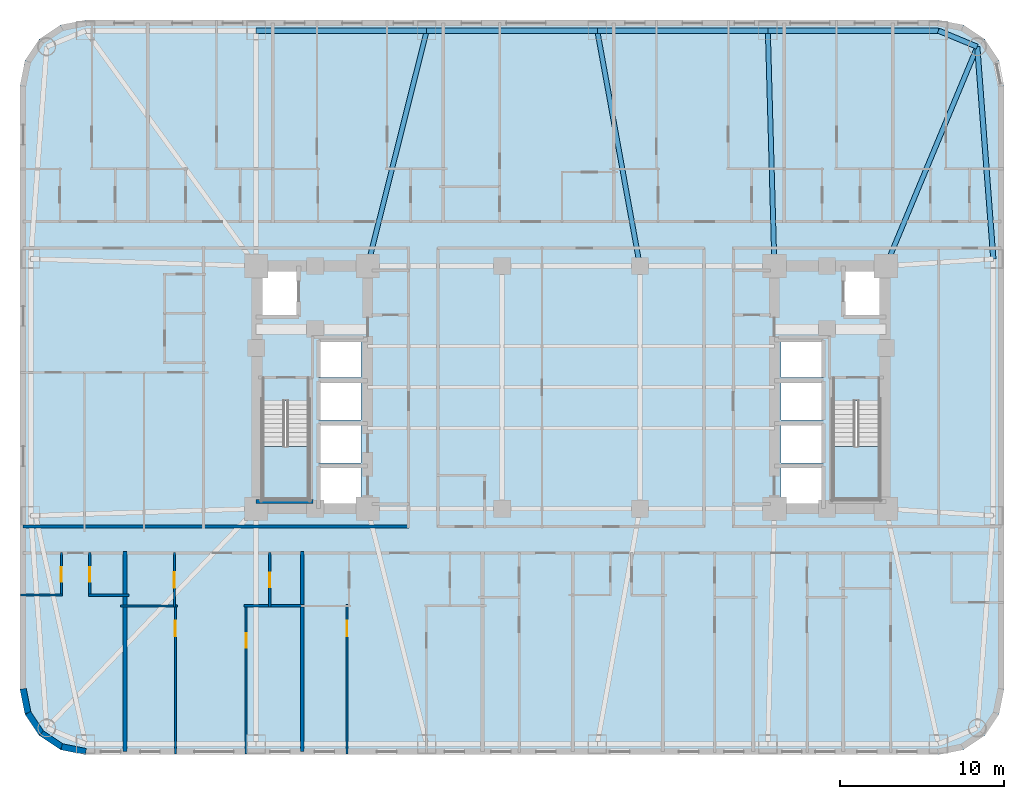
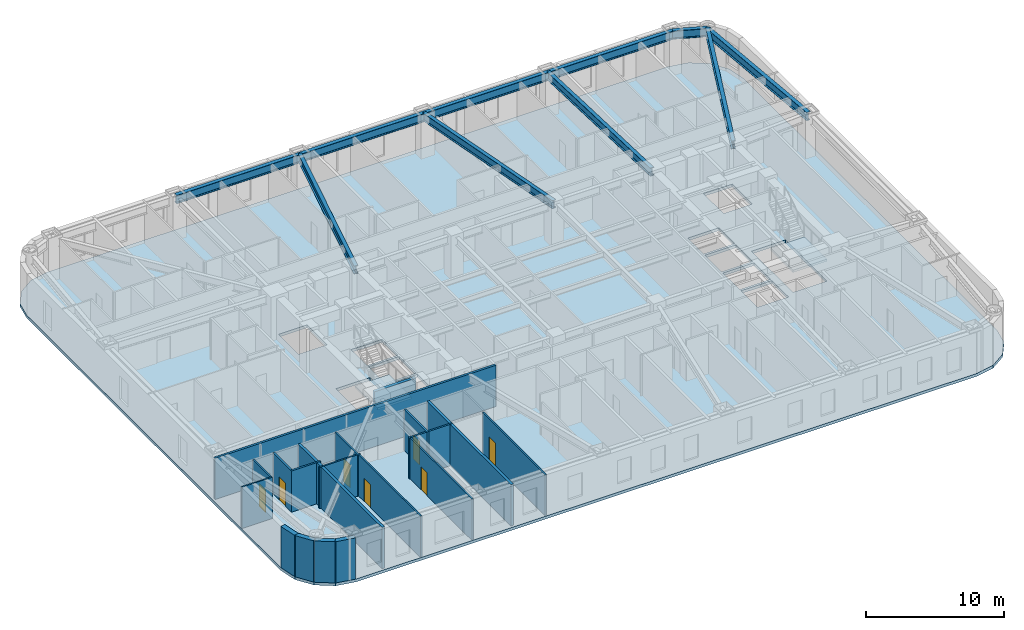
# One storey, part 2 of 11: 19 walls, 10 beams, 7 doors, 3 slabs, 7 openings, 2 elements without a shape of their own.
"""IFC4 building model written with IfcOpenShell, lengths in metres."""

from ifc_helpers import new_model, si_unit, direction, frame, frame_2d, origin, origin_2d, place, context, subcontext, project, spatial, polyline, rectangle, i_section, outline, extrude, material, layer, layer_set, material_profile, profile_set, type_object, element, fill, aggregate, save


model = new_model("IFC4")

# Units and contexts
model_context = context("Model", 3, precision=1e-05, world=origin(), true_north=direction((0.0, 1.0)))
body_context = subcontext(model_context, "Body", "Model", "MODEL_VIEW")
ifc_project = project(units=[si_unit("LENGTHUNIT", "METRE"), si_unit("AREAUNIT", "SQUARE_METRE"), si_unit("VOLUMEUNIT", "CUBIC_METRE"), si_unit("PLANEANGLEUNIT", "RADIAN"), si_unit("MASSUNIT", "GRAM", prefix="KILO")], contexts=[model_context])

# Site, building, storey
site_placement = place(None, origin())
site = spatial("IfcSite", under=ifc_project, at=site_placement, CompositionType="ELEMENT")
building_placement = place(site_placement, origin())
building = spatial("IfcBuilding", under=site, at=building_placement, Name="Voryun Gate Residences", CompositionType="ELEMENT")
storey_placement = place(building_placement, frame((0.0, 0.0, 45.5)))
storey = spatial("IfcBuildingStorey", under=building, at=storey_placement, Name="L10", CompositionType="ELEMENT", Elevation=45.5)

# Beams
ifc_material_1 = material(Name="Steel SM355", Category="steel")
ifc_material_profile_1 = material_profile(ifc_material_1, i_section(OverallWidth=0.320068359375, OverallDepth=0.75, WebThickness=0.01611328125, FlangeThickness=0.028076171875, FilletRadius=0.01806640625, at=origin_2d()), Name="H-750x320x16x28")
ifc_profile_set_1 = profile_set([ifc_material_profile_1], Name="Steel SM355")
beam_type_1 = type_object("IfcBeamType", Name="BM_EXO_SPANDREL_L", PredefinedType="SPANDREL", material=ifc_profile_set_1)
beam_1_placement = place(storey_placement, frame((25.75, 7.830078125, 3.27490234375), z_axis=(-0.075617360159, 0.997136908776, 0.0), x_axis=(-0.997136908776, -0.075617360159, 0.0)))
element("IfcBeam", 1, at=beam_1_placement, inside=storey, type_object=beam_type_1, Name="BM-L10-SPAND-09", PredefinedType="SPANDREL", context=body_context, shape_type="SweptSolid", body=[
    extrude(i_section(OverallWidth=0.320068359375, OverallDepth=0.75, WebThickness=0.01611328125, FlangeThickness=0.028076171875, FilletRadius=0.01806640625, at=origin_2d()), origin(), (0.0, 0.0, 1.0), 12.975830078125),
])
beam_2_placement = place(storey_placement, frame((24.768798828125, 20.768798828125, 3.27490234375), z_axis=(-0.923883376753, 0.382674151414, 0.0), x_axis=(-0.382674151414, -0.923883376753, 0.0)))
element("IfcBeam", 2, at=beam_2_placement, inside=storey, type_object=beam_type_1, Name="BM-L10-SPAND-10", PredefinedType="SPANDREL", context=body_context, shape_type="SweptSolid", body=[
    extrude(i_section(OverallWidth=0.320068359375, OverallDepth=0.75, WebThickness=0.01611328125, FlangeThickness=0.028076171875, FilletRadius=0.01806640625, at=origin_2d()), origin(), (0.0, 0.0, 1.0), 2.56396484375),
])
for number, where, z_axis, x_axis, name in (
    (3, (22.39990234375, 21.75, 3.27490234375), (-1.0, 0.0, 0.0), (0.0, -1.0, 0.0), "BM-L10-SPAND-11"),
    (4, (12.0, 21.75, 3.27490234375), (-1.0, 0.0, 0.0), (0.0, -1.0, 0.0), "BM-L10-SPAND-12"),
):
    element("IfcBeam", number, at=place(storey_placement, frame(where, z_axis=z_axis, x_axis=x_axis)), inside=storey, type_object=beam_type_1, Name=name, PredefinedType="SPANDREL", context=body_context, shape_type="SweptSolid", body=[
        extrude(i_section(OverallWidth=0.320068359375, OverallDepth=0.75, WebThickness=0.01611328125, FlangeThickness=0.028076171875, FilletRadius=0.01806640625, at=origin_2d()), origin(), (0.0, 0.0, 1.0), 10.39990234375),
    ])
beam_3_placement = place(storey_placement, frame((1.60009765625, 21.75, 3.27490234375), z_axis=(-1.0, 0.0, 0.0), x_axis=(0.0, -1.0, 0.0)))
element("IfcBeam", 5, at=beam_3_placement, inside=storey, type_object=beam_type_1, Name="BM-L10-SPAND-13", PredefinedType="SPANDREL", context=body_context, shape_type="SweptSolid", body=[
    extrude(i_section(OverallWidth=0.320068359375, OverallDepth=0.75, WebThickness=0.01611328125, FlangeThickness=0.028076171875, FilletRadius=0.01806640625, at=origin_2d()), origin(), (0.0, 0.0, 1.0), 10.400146484375),
])
beam_4_placement = place(storey_placement, frame((-8.800048828125, 21.75, 3.27490234375), z_axis=(-1.0, 0.0, 0.0), x_axis=(0.0, -1.0, 0.0)))
element("IfcBeam", 6, at=beam_4_placement, inside=storey, type_object=beam_type_1, Name="BM-L10-SPAND-14", PredefinedType="SPANDREL", context=body_context, shape_type="SweptSolid", body=[
    extrude(i_section(OverallWidth=0.320068359375, OverallDepth=0.75, WebThickness=0.01611328125, FlangeThickness=0.028076171875, FilletRadius=0.01806640625, at=origin_2d()), origin(), (0.0, 0.0, 1.0), 10.39990234375),
])
ifc_material_2 = material(Name="Steel SM355", Category="steel")
ifc_material_profile_2 = material_profile(ifc_material_2, i_section(OverallWidth=0.300048828125, OverallDepth=0.699951171875, WebThickness=0.012939453125, FlangeThickness=0.02392578125, FilletRadius=0.01806640625, at=origin_2d()), Name="H-700x300x13x24")
ifc_profile_set_2 = profile_set([ifc_material_profile_2], Name="Steel SM355")
beam_type_2 = type_object("IfcBeamType", Name="BM_GIRD_700", PredefinedType="USERDEFINED", material=ifc_profile_set_2)
beam_5_placement = place(storey_placement, frame((19.199951171875, 7.39990234375, 3.300048828125), z_axis=(0.384525607719, 0.923114324993, 0.0), x_axis=(-0.923114324993, 0.384525607719, 0.0)))
element("IfcBeam", 7, at=beam_5_placement, inside=storey, type_object=beam_type_2, Name="BM-L10-RAD-CNE", ObjectType="GIRDER", PredefinedType="USERDEFINED", context=body_context, shape_type="SweptSolid", body=[
    extrude(i_section(OverallWidth=0.300048828125, OverallDepth=0.699951171875, WebThickness=0.012939453125, FlangeThickness=0.02392578125, FilletRadius=0.01806640625, at=origin_2d()), origin(), (0.0, 0.0, 1.0), 14.482421875),
])
beam_6_placement = place(storey_placement, frame((12.39990234375, 7.39990234375, 3.300048828125), z_axis=(-0.0278567548, 0.999611925305, 0.0), x_axis=(-0.999611925305, -0.0278567548, 0.0)))
element("IfcBeam", 8, at=beam_6_placement, inside=storey, type_object=beam_type_2, Name="BM-L10-RAD-N2", ObjectType="GIRDER", PredefinedType="USERDEFINED", context=body_context, shape_type="SweptSolid", body=[
    extrude(i_section(OverallWidth=0.300048828125, OverallDepth=0.699951171875, WebThickness=0.012939453125, FlangeThickness=0.02392578125, FilletRadius=0.01806640625, at=origin_2d()), origin(), (0.0, 0.0, 1.0), 14.355712890625),
])
beam_7_placement = place(storey_placement, frame((4.199951171875, 7.39990234375, 3.300048828125), z_axis=(-0.178271088758, 0.983981411874, 0.0), x_axis=(-0.983981411874, -0.178271088758, 0.0)))
element("IfcBeam", 9, at=beam_7_placement, inside=storey, type_object=beam_type_2, Name="BM-L10-RAD-N3", ObjectType="GIRDER", PredefinedType="USERDEFINED", context=body_context, shape_type="SweptSolid", body=[
    extrude(i_section(OverallWidth=0.300048828125, OverallDepth=0.699951171875, WebThickness=0.012939453125, FlangeThickness=0.02392578125, FilletRadius=0.01806640625, at=origin_2d()), origin(), (0.0, 0.0, 1.0), 14.583740234375),
])
beam_8_placement = place(storey_placement, frame((-12.39990234375, 7.39990234375, 3.300048828125), z_axis=(0.243319869291, 0.969946102218, 0.0), x_axis=(-0.969946102218, 0.243319869291, 0.0)))
element("IfcBeam", 10, at=beam_8_placement, inside=storey, type_object=beam_type_2, Name="BM-L10-RAD-N4", ObjectType="GIRDER", PredefinedType="USERDEFINED", context=body_context, shape_type="SweptSolid", body=[
    extrude(i_section(OverallWidth=0.300048828125, OverallDepth=0.699951171875, WebThickness=0.012939453125, FlangeThickness=0.02392578125, FilletRadius=0.01806640625, at=origin_2d()), origin(), (0.0, 0.0, 1.0), 14.794677734375),
])

# Slab
ifc_material_3 = material(Name="Concrete C40/50", Category="concrete")
ifc_layer_1 = layer(ifc_material_3, 0.25, Name="SLB_RES_250")
ifc_layer_set_1 = layer_set([ifc_layer_1], Name="Concrete C40/50")
slab_type_1 = type_object("IfcSlabType", Name="SLB_RES_250", PredefinedType="FLOOR", material=ifc_layer_set_1)
slab_1_placement = place(storey_placement, frame((0.0, 0.0, -0.25)))
element("IfcSlab", 11, at=slab_1_placement, inside=storey, type_object=slab_type_1, Name="L10 Structural Floor Slab", PredefinedType="FLOOR", context=body_context, shape_type="SweptSolid", body=[
    extrude(outline(polyline([(-29.60009765625, -22.39990234375), (-31.130615234375, -22.095458984375), (-32.428466796875, -21.228515625), (-33.29541015625, -19.9306640625), (-33.60009765625, -18.39990234375), (-33.60009765625, 18.39990234375), (-33.29541015625, 19.9306640625), (-32.428466796875, 21.228515625), (-31.130615234375, 22.095458984375), (-29.60009765625, 22.39990234375), (22.39990234375, 22.39990234375), (23.9306640625, 22.095458984375), (25.228515625, 21.228515625), (26.095458984375, 19.9306640625), (26.39990234375, 18.39990234375), (26.39990234375, -18.39990234375), (26.095458984375, -19.9306640625), (25.228515625, -21.228515625), (23.9306640625, -22.095458984375), (22.39990234375, -22.39990234375), (-29.60009765625, -22.39990234375)]), holes=[polyline([(-12.800048828125, -4.800048828125), (-15.39990234375, -4.800048828125), (-15.39990234375, -7.199951171875), (-12.800048828125, -7.199951171875), (-12.800048828125, -4.800048828125)]), polyline([(-18.824951171875, -6.85009765625), (-15.97509765625, -6.85009765625), (-15.97509765625, -0.840087890625), (-18.824951171875, -0.840087890625), (-18.824951171875, -6.85009765625)]), polyline([(-12.800048828125, -4.60009765625), (-12.800048828125, -2.199951171875), (-15.39990234375, -2.199951171875), (-15.39990234375, -4.60009765625), (-12.800048828125, -4.60009765625)]), polyline([(-12.800048828125, 0.39990234375), (-15.39990234375, 0.39990234375), (-15.39990234375, -2.0), (-12.800048828125, -2.0), (-12.800048828125, 0.39990234375)]), polyline([(-12.800048828125, 0.60009765625), (-12.800048828125, 2.89990234375), (-15.39990234375, 2.89990234375), (-15.39990234375, 0.60009765625), (-12.800048828125, 0.60009765625)]), polyline([(-16.60009765625, 4.300048828125), (-16.60009765625, 7.199951171875), (-19.0, 7.199951171875), (-19.0, 4.300048828125), (-16.60009765625, 4.300048828125)]), polyline([(15.39990234375, -4.800048828125), (12.800048828125, -4.800048828125), (12.800048828125, -7.199951171875), (15.39990234375, -7.199951171875), (15.39990234375, -4.800048828125)]), polyline([(15.97509765625, -6.85009765625), (18.824951171875, -6.85009765625), (18.824951171875, -0.840087890625), (15.97509765625, -0.840087890625), (15.97509765625, -6.85009765625)]), polyline([(15.39990234375, -4.60009765625), (15.39990234375, -2.199951171875), (12.800048828125, -2.199951171875), (12.800048828125, -4.60009765625), (15.39990234375, -4.60009765625)]), polyline([(15.39990234375, 0.39990234375), (12.800048828125, 0.39990234375), (12.800048828125, -2.0), (15.39990234375, -2.0), (15.39990234375, 0.39990234375)]), polyline([(15.39990234375, 0.60009765625), (15.39990234375, 2.89990234375), (12.800048828125, 2.89990234375), (12.800048828125, 0.60009765625), (15.39990234375, 0.60009765625)]), polyline([(19.0, 4.300048828125), (19.0, 7.199951171875), (16.60009765625, 7.199951171875), (16.60009765625, 4.300048828125), (19.0, 4.300048828125)])]), origin(), (0.0, 0.0, 1.0), 0.25),
])

# Stair, slab
ifc_material_4 = material(Name="Concrete C40/50", Category="concrete")
stair_type = type_object("IfcStairType", Name="STR_CORE_DOGLEG_1350", PredefinedType="HALF_TURN_STAIR", material=ifc_material_4)
stair_1_placement = place(storey_placement, origin())
stair_1 = element("IfcStair", 12, at=stair_1_placement, inside=storey, type_object=stair_type, Name="L10 Special Escape Stair ST-W1", PredefinedType="HALF_TURN_STAIR")
ifc_material_5 = material(Name="Concrete C40/50", Category="concrete")
ifc_layer_2 = layer(ifc_material_5, 0.199951171875, Name="SLB_STAIR_LANDING_200")
ifc_layer_set_2 = layer_set([ifc_layer_2], Name="Concrete C40/50")
slab_type_2 = type_object("IfcSlabType", Name="SLB_STAIR_LANDING_200", PredefinedType="LANDING", material=ifc_layer_set_2)
slab_2_placement = place(storey_placement, frame((0.0, 0.0, 1.75)))
slab_2 = element("IfcSlab", 13, at=slab_2_placement, type_object=slab_type_2, Name="ST-W1 landing 1", PredefinedType="LANDING", context=body_context, shape_type="SweptSolid", body=[
    extrude(outline(polyline([(-18.824951171875, -3.60009765625), (-18.824951171875, -6.85009765625), (-15.97509765625, -6.85009765625), (-15.97509765625, -3.60009765625), (-18.824951171875, -3.60009765625)])), origin(), (0.0, 0.0, 1.0), 0.199951171875),
])
aggregate(stair_1, [slab_2])

stair_2_placement = place(storey_placement, origin())
stair_2 = element("IfcStair", 14, at=stair_2_placement, inside=storey, type_object=stair_type, Name="L10 Special Escape Stair ST-E1", PredefinedType="HALF_TURN_STAIR")
slab_3_placement = place(storey_placement, frame((0.0, 0.0, 1.75)))
slab_3 = element("IfcSlab", 15, at=slab_3_placement, type_object=slab_type_2, Name="ST-E1 landing 1", PredefinedType="LANDING", context=body_context, shape_type="SweptSolid", body=[
    extrude(outline(polyline([(15.97509765625, -3.60009765625), (15.97509765625, -6.85009765625), (18.824951171875, -6.85009765625), (18.824951171875, -3.60009765625), (15.97509765625, -3.60009765625)])), origin(), (0.0, 0.0, 1.0), 0.199951171875),
])
aggregate(stair_2, [slab_3])

# Walls
ifc_material_6 = material(Name="Gypsum acoustic fireboard")
ifc_layer_3 = layer(ifc_material_6, 0.179931640625, Name="W_CORR_RATED_180")
ifc_layer_set_3 = layer_set([ifc_layer_3], Name="Gypsum acoustic fireboard")
wall_type_1 = type_object("IfcWallType", Name="W_CORR_RATED_180", PredefinedType="PARTITIONING", material=ifc_layer_set_3)
wall_1_placement = place(storey_placement, frame((-33.409912109375, -8.489990234375, 0.0), z_axis=(0.0, 0.0, 1.0), x_axis=(1.0, 0.0, 0.0)))
element("IfcWall", 16, at=wall_1_placement, inside=storey, type_object=wall_type_1, Name="Partition wall WP-L10-CWING-WS", PredefinedType="PARTITIONING", context=body_context, shape_type="SweptSolid", body=[
    extrude(rectangle(XDim=23.530029296875, YDim=0.179931640625, at=frame_2d((11.76513671875, 0.0))), origin(), (0.0, 0.0, 1.0), 3.64990234375),
])
ifc_material_7 = material(Name="Granite masonry", Category="masonry")
ifc_layer_4 = layer(ifc_material_7, 0.3798828125, Name="W_EXT_GRANITE_380")
ifc_layer_set_4 = layer_set([ifc_layer_4], Name="Granite masonry")
wall_type_2 = type_object("IfcWallType", Name="W_EXT_GRANITE_380", PredefinedType="ELEMENTEDWALL", material=ifc_layer_set_4)
wall_2_placement = place(storey_placement, frame((-29.581298828125, -22.2099609375, 0.0), z_axis=(0.0, 0.0, 1.0), x_axis=(-0.980786132421, 0.195086038585, 0.0)))
element("IfcWall", 17, at=wall_2_placement, inside=storey, type_object=wall_type_2, Name="Exterior wall WEXT-L10-02", PredefinedType="ELEMENTEDWALL", context=body_context, shape_type="SweptSolid", body=[
    extrude(rectangle(XDim=1.504150390625, YDim=0.3798828125, at=frame_2d((0.751953125, 0.0))), origin(), (0.0, 0.0, 1.0), 3.64990234375),
])
wall_3_placement = place(storey_placement, frame((-31.056640625, -21.91650390625, 0.0), z_axis=(0.0, 0.0, 1.0), x_axis=(-0.831442848281, 0.555610286119, 0.0)))
element("IfcWall", 18, at=wall_3_placement, inside=storey, type_object=wall_type_2, Name="Exterior wall WEXT-L10-03", PredefinedType="ELEMENTEDWALL", context=body_context, shape_type="SweptSolid", body=[
    extrude(rectangle(XDim=1.485107421875, YDim=0.3798828125, at=frame_2d((0.74267578125, 0.0))), origin(), (0.0, 0.0, 1.0), 3.64990234375),
])
wall_4_placement = place(storey_placement, frame((-32.29150390625, -21.09130859375, 0.0), z_axis=(0.0, 0.0, 1.0), x_axis=(-0.555572577804, 0.831468045563, 0.0)))
element("IfcWall", 19, at=wall_4_placement, inside=storey, type_object=wall_type_2, Name="Exterior wall WEXT-L10-04", PredefinedType="ELEMENTEDWALL", context=body_context, shape_type="SweptSolid", body=[
    extrude(rectangle(XDim=1.48486328125, YDim=0.3798828125, at=frame_2d((0.742431640625, 0.0))), origin(), (0.0, 0.0, 1.0), 3.64990234375),
])
wall_5_placement = place(storey_placement, frame((-33.116455078125, -19.856689453125, 0.0), z_axis=(0.0, 0.0, 1.0), x_axis=(-0.195086038585, 0.980786132421, 0.0)))
element("IfcWall", 20, at=wall_5_placement, inside=storey, type_object=wall_type_2, Name="Exterior wall WEXT-L10-05", PredefinedType="ELEMENTEDWALL", context=body_context, shape_type="SweptSolid", body=[
    extrude(rectangle(XDim=1.504150390625, YDim=0.3798828125, at=frame_2d((0.751953125, 0.0))), origin(), (0.0, 0.0, 1.0), 3.64990234375),
])
ifc_material_8 = material(Name="Concrete C40/50", Category="concrete")
ifc_layer_5 = layer(ifc_material_8, 0.219970703125, Name="W_PARTY_ACOUSTIC_220")
ifc_layer_set_5 = layer_set([ifc_layer_5], Name="Concrete C40/50")
wall_type_3 = type_object("IfcWallType", Name="W_PARTY_ACOUSTIC_220", PredefinedType="PARTITIONING", material=ifc_layer_set_5)
for number, where, z_axis, x_axis, name in (
    (21, (-27.199951171875, -22.2099609375, 0.0), (0.0, 0.0, 1.0), (0.0, 1.0, 0.0), "Partition wall WP-L10-SPTY-1"),
    (22, (-16.39990234375, -22.2099609375, 0.0), (0.0, 0.0, 1.0), (0.0, 1.0, 0.0), "Partition wall WP-L10-SPTY-2"),
):
    element("IfcWall", number, at=place(storey_placement, frame(where, z_axis=z_axis, x_axis=x_axis)), inside=storey, type_object=wall_type_3, Name=name, PredefinedType="PARTITIONING", context=body_context, shape_type="SweptSolid", body=[
        extrude(rectangle(XDim=12.18994140625, YDim=0.219970703125, at=frame_2d((6.094970703125, 0.0))), origin(), (0.0, 0.0, 1.0), 3.64990234375),
    ])
ifc_material_9 = material(Name="Concrete C50/60", Category="concrete")
ifc_layer_6 = layer(ifc_material_9, 0.25, Name="W_SHAFT_RC250")
ifc_layer_set_6 = layer_set([ifc_layer_6], Name="Concrete C50/60")
wall_type_4 = type_object("IfcWallType", Name="W_SHAFT_RC250", PredefinedType="SOLIDWALL", material=ifc_layer_set_6)
wall_6_placement = place(storey_placement, frame((-19.199951171875, -6.965087890625, 0.0), z_axis=(0.0, 0.0, 1.0), x_axis=(1.0, 0.0, 0.0)))
element("IfcWall", 23, at=wall_6_placement, inside=storey, type_object=wall_type_4, Name="L10 Stair shaft structural wall W-STS", PredefinedType="SOLIDWALL", context=body_context, shape_type="SweptSolid", body=[
    extrude(rectangle(XDim=3.4599609375, YDim=0.25, at=frame_2d((1.72998046875, 0.0))), origin(), (0.0, 0.0, 1.0), 3.64990234375),
])

# Wall, opening, door
ifc_material_10 = material(Name="Gypsum acoustic partition")
ifc_layer_7 = layer(ifc_material_10, 0.125, Name="W_UNIT_PART_125")
ifc_layer_set_7 = layer_set([ifc_layer_7], Name="Gypsum acoustic partition")
wall_type_5 = type_object("IfcWallType", Name="W_UNIT_PART_125", PredefinedType="PARTITIONING", material=ifc_layer_set_7)
wall_7_placement = place(storey_placement, frame((-31.077880859375, -12.72998046875, 0.0), z_axis=(0.0, 0.0, 1.0), x_axis=(0.0, 1.0, 0.0)))
wall_7 = element("IfcWall", 24, at=wall_7_placement, inside=storey, type_object=wall_type_5, Name="Partition wall WP-L10-S1-CVK", PredefinedType="PARTITIONING", context=body_context, shape_type="SweptSolid", body=[
    extrude(rectangle(XDim=2.64990234375, YDim=0.125, at=frame_2d((1.324951171875, 0.0))), origin(), (0.0, 0.0, 1.0), 3.64990234375),
])
opening_1_placement = place(wall_7_placement, frame((0.875, 0.0, 0.0)))
opening_1 = element("IfcOpeningElement", 25, at=opening_1_placement, cuts=wall_7, Name="Opening D-INT-2", PredefinedType="OPENING", context=body_context, shape_type="SweptSolid", body=[
    extrude(rectangle(XDim=0.89990234375, YDim=2.050048828125, at=frame_2d((0.449951171875, 1.02490234375))), frame((0.0, 0.072509765625, 0.0), z_axis=(0.0, -1.0, 0.0), x_axis=(1.0, 0.0, 0.0)), (0.0, 0.0, 1.0), 0.14501953125),
])
ifc_material_11 = material(Name="Architectural oak veneer")
door_type_1 = type_object("IfcDoorType", Name="DR_INT_BATH_900", OperationType="NOTDEFINED", PredefinedType="DOOR", material=ifc_material_11)
door_1_placement = place(opening_1_placement, origin())
door_1 = element("IfcDoor", 26, at=door_1_placement, inside=storey, type_object=door_type_1, Name="Door DR-L10-S1-DK", OperationType="SINGLE_SWING_LEFT", OverallHeight=2.050048828125, OverallWidth=0.89990234375, PredefinedType="DOOR", context=body_context, shape_type="SweptSolid", body=[
    extrude(rectangle(XDim=0.89990234375, YDim=2.050048828125, at=frame_2d((0.449951171875, 1.02490234375))), frame((0.0, 0.02490234375, 0.0), z_axis=(0.0, -1.0, 0.0), x_axis=(1.0, 0.0, 0.0)), (0.0, 0.0, 1.0), 0.050048828125),
])
fill(opening_1, door_1)

# Wall
wall_8_placement = place(storey_placement, frame((-33.56005859375, -12.669921875, 0.0), z_axis=(0.0, 0.0, 1.0), x_axis=(1.0, 0.0, 0.0)))
element("IfcWall", 27, at=wall_8_placement, inside=storey, type_object=wall_type_5, Name="Partition wall WP-L10-S1-CHK", PredefinedType="PARTITIONING", context=body_context, shape_type="SweptSolid", body=[
    extrude(rectangle(XDim=2.5419921875, YDim=0.125, at=frame_2d((1.27099609375, 0.0))), origin(), (0.0, 0.0, 1.0), 3.64990234375),
])

# Wall, opening, door
wall_9_placement = place(storey_placement, frame((-24.1279296875, -22.360107421875, 0.0), z_axis=(0.0, 0.0, 1.0), x_axis=(0.0, 1.0, 0.0)))
wall_9 = element("IfcWall", 28, at=wall_9_placement, inside=storey, type_object=wall_type_5, Name="Partition wall WP-L10-S2-OVL", PredefinedType="PARTITIONING", context=body_context, shape_type="SweptSolid", body=[
    extrude(rectangle(XDim=9.1201171875, YDim=0.125, at=frame_2d((4.56005859375, 0.0))), origin(), (0.0, 0.0, 1.0), 3.64990234375),
])
opening_2_placement = place(wall_9_placement, frame((7.185791015625, 0.0, 0.0)))
opening_2 = element("IfcOpeningElement", 29, at=opening_2_placement, cuts=wall_9, Name="Opening D-INT-1", PredefinedType="OPENING", context=body_context, shape_type="SweptSolid", body=[
    extrude(rectangle(XDim=0.949951171875, YDim=2.050048828125, at=frame_2d((0.47509765625, 1.02490234375))), frame((0.0, 0.072509765625, 0.0), z_axis=(0.0, -1.0, 0.0), x_axis=(1.0, 0.0, 0.0)), (0.0, 0.0, 1.0), 0.14501953125),
])
ifc_material_12 = material(Name="Architectural oak veneer")
door_type_2 = type_object("IfcDoorType", Name="DR_INT_ROOM_950", OperationType="NOTDEFINED", PredefinedType="DOOR", material=ifc_material_12)
door_2_placement = place(opening_2_placement, origin())
door_2 = element("IfcDoor", 30, at=door_2_placement, inside=storey, type_object=door_type_2, Name="Door DR-L10-S2-DB2", OperationType="SINGLE_SWING_LEFT", OverallHeight=2.050048828125, OverallWidth=0.949951171875, PredefinedType="DOOR", context=body_context, shape_type="SweptSolid", body=[
    extrude(rectangle(XDim=0.949951171875, YDim=2.050048828125, at=frame_2d((0.47509765625, 1.02490234375))), frame((0.0, 0.02490234375, 0.0), z_axis=(0.0, -1.0, 0.0), x_axis=(1.0, 0.0, 0.0)), (0.0, 0.0, 1.0), 0.050048828125),
])
fill(opening_2, door_2)

wall_10_placement = place(storey_placement, frame((-19.81005859375, -22.360107421875, 0.0), z_axis=(0.0, 0.0, 1.0), x_axis=(0.0, 1.0, 0.0)))
wall_10 = element("IfcWall", 31, at=wall_10_placement, inside=storey, type_object=wall_type_5, Name="Partition wall WP-L10-S2-OVR", PredefinedType="PARTITIONING", context=body_context, shape_type="SweptSolid", body=[
    extrude(rectangle(XDim=9.1201171875, YDim=0.125, at=frame_2d((4.56005859375, 0.0))), origin(), (0.0, 0.0, 1.0), 3.64990234375),
])
opening_3_placement = place(wall_10_placement, frame((6.481201171875, 0.0, 0.0)))
opening_3 = element("IfcOpeningElement", 32, at=opening_3_placement, cuts=wall_10, Name="Opening D-INT-2", PredefinedType="OPENING", context=body_context, shape_type="SweptSolid", body=[
    extrude(rectangle(XDim=0.89990234375, YDim=2.050048828125, at=frame_2d((0.449951171875, 1.02490234375))), frame((0.0, 0.072509765625, 0.0), z_axis=(0.0, -1.0, 0.0), x_axis=(1.0, 0.0, 0.0)), (0.0, 0.0, 1.0), 0.14501953125),
])
door_3_placement = place(opening_3_placement, origin())
door_3 = element("IfcDoor", 33, at=door_3_placement, inside=storey, type_object=door_type_1, Name="Door DR-L10-S2-DMB", OperationType="SINGLE_SWING_RIGHT", OverallHeight=2.050048828125, OverallWidth=0.89990234375, PredefinedType="DOOR", context=body_context, shape_type="SweptSolid", body=[
    extrude(rectangle(XDim=0.89990234375, YDim=2.050048828125, at=frame_2d((0.449951171875, 1.02490234375))), frame((0.0, 0.02490234375, 0.0), z_axis=(0.0, -1.0, 0.0), x_axis=(1.0, 0.0, 0.0)), (0.0, 0.0, 1.0), 0.050048828125),
])
fill(opening_3, door_3)

wall_11_placement = place(storey_placement, frame((-24.19189453125, -13.39990234375, 0.0), z_axis=(0.0, 0.0, 1.0), x_axis=(0.0, 1.0, 0.0)))
wall_11 = element("IfcWall", 34, at=wall_11_placement, inside=storey, type_object=wall_type_5, Name="Partition wall WP-L10-S2-IVK", PredefinedType="PARTITIONING", context=body_context, shape_type="SweptSolid", body=[
    extrude(rectangle(XDim=3.31982421875, YDim=0.125, at=frame_2d((1.659912109375, 0.0))), origin(), (0.0, 0.0, 1.0), 3.64990234375),
])
opening_4_placement = place(wall_11_placement, frame((1.18505859375, 0.0, 0.0)))
opening_4 = element("IfcOpeningElement", 35, at=opening_4_placement, cuts=wall_11, Name="Opening D-INT-1", PredefinedType="OPENING", context=body_context, shape_type="SweptSolid", body=[
    extrude(rectangle(XDim=0.949951171875, YDim=2.050048828125, at=frame_2d((0.47509765625, 1.02490234375))), frame((0.0, 0.072509765625, 0.0), z_axis=(0.0, -1.0, 0.0), x_axis=(1.0, 0.0, 0.0)), (0.0, 0.0, 1.0), 0.14501953125),
])
door_4_placement = place(opening_4_placement, origin())
door_4 = element("IfcDoor", 36, at=door_4_placement, inside=storey, type_object=door_type_2, Name="Door DR-L10-S2-DK", OperationType="SINGLE_SWING_LEFT", OverallHeight=2.050048828125, OverallWidth=0.949951171875, PredefinedType="DOOR", context=body_context, shape_type="SweptSolid", body=[
    extrude(rectangle(XDim=0.949951171875, YDim=2.050048828125, at=frame_2d((0.47509765625, 1.02490234375))), frame((0.0, 0.02490234375, 0.0), z_axis=(0.0, -1.0, 0.0), x_axis=(1.0, 0.0, 0.0)), (0.0, 0.0, 1.0), 0.050048828125),
])
fill(opening_4, door_4)

# Wall
wall_12_placement = place(storey_placement, frame((-27.4599609375, -13.320068359375, 0.0), z_axis=(0.0, 0.0, 1.0), x_axis=(1.0, 0.0, 0.0)))
element("IfcWall", 37, at=wall_12_placement, inside=storey, type_object=wall_type_5, Name="Partition wall WP-L10-S2-HZK", PredefinedType="PARTITIONING", context=body_context, shape_type="SweptSolid", body=[
    extrude(rectangle(XDim=3.451904296875, YDim=0.125, at=frame_2d((1.72607421875, 0.0))), origin(), (0.0, 0.0, 1.0), 3.64990234375),
])

# Wall, opening, door
wall_13_placement = place(storey_placement, frame((-13.6640625, -22.360107421875, 0.0), z_axis=(0.0, 0.0, 1.0), x_axis=(0.0, 1.0, 0.0)))
wall_13 = element("IfcWall", 38, at=wall_13_placement, inside=storey, type_object=wall_type_5, Name="Partition wall WP-L10-S3-OVL", PredefinedType="PARTITIONING", context=body_context, shape_type="SweptSolid", body=[
    extrude(rectangle(XDim=9.1201171875, YDim=0.125, at=frame_2d((4.56005859375, 0.0))), origin(), (0.0, 0.0, 1.0), 3.64990234375),
])
opening_5_placement = place(wall_13_placement, frame((7.185791015625, 0.0, 0.0)))
opening_5 = element("IfcOpeningElement", 39, at=opening_5_placement, cuts=wall_13, Name="Opening D-INT-1", PredefinedType="OPENING", context=body_context, shape_type="SweptSolid", body=[
    extrude(rectangle(XDim=0.949951171875, YDim=2.050048828125, at=frame_2d((0.47509765625, 1.02490234375))), frame((0.0, 0.072509765625, 0.0), z_axis=(0.0, -1.0, 0.0), x_axis=(1.0, 0.0, 0.0)), (0.0, 0.0, 1.0), 0.14501953125),
])
door_5_placement = place(opening_5_placement, origin())
door_5 = element("IfcDoor", 40, at=door_5_placement, inside=storey, type_object=door_type_2, Name="Door DR-L10-S3-DB2", OperationType="SINGLE_SWING_LEFT", OverallHeight=2.050048828125, OverallWidth=0.949951171875, PredefinedType="DOOR", context=body_context, shape_type="SweptSolid", body=[
    extrude(rectangle(XDim=0.949951171875, YDim=2.050048828125, at=frame_2d((0.47509765625, 1.02490234375))), frame((0.0, 0.02490234375, 0.0), z_axis=(0.0, -1.0, 0.0), x_axis=(1.0, 0.0, 0.0)), (0.0, 0.0, 1.0), 0.050048828125),
])
fill(opening_5, door_5)

ifc_material_13 = material(Name="Gypsum moisture-resistant partition")
ifc_layer_8 = layer(ifc_material_13, 0.14990234375, Name="W_WET_PLUMB_150")
ifc_layer_set_8 = layer_set([ifc_layer_8], Name="Gypsum moisture-resistant partition")
wall_type_6 = type_object("IfcWallType", Name="W_WET_PLUMB_150", PredefinedType="PLUMBINGWALL", material=ifc_layer_set_8)
wall_14_placement = place(storey_placement, frame((-29.35400390625, -12.72998046875, 0.0), z_axis=(0.0, 0.0, 1.0), x_axis=(0.0, 1.0, 0.0)))
wall_14 = element("IfcWall", 41, at=wall_14_placement, inside=storey, type_object=wall_type_6, Name="Partition wall WP-L10-S1-CVB", PredefinedType="PLUMBINGWALL", context=body_context, shape_type="SweptSolid", body=[
    extrude(rectangle(XDim=2.64990234375, YDim=0.14990234375, at=frame_2d((1.324951171875, 0.0))), origin(), (0.0, 0.0, 1.0), 3.64990234375),
])
opening_6_placement = place(wall_14_placement, frame((0.875, 0.0, 0.0)))
opening_6 = element("IfcOpeningElement", 42, at=opening_6_placement, cuts=wall_14, Name="Opening D-INT-2", PredefinedType="OPENING", context=body_context, shape_type="SweptSolid", body=[
    extrude(rectangle(XDim=0.89990234375, YDim=2.050048828125, at=frame_2d((0.449951171875, 1.02490234375))), frame((0.0, 0.0849609375, 0.0), z_axis=(0.0, -1.0, 0.0), x_axis=(1.0, 0.0, 0.0)), (0.0, 0.0, 1.0), 0.169921875),
])
door_6_placement = place(opening_6_placement, origin())
door_6 = element("IfcDoor", 43, at=door_6_placement, inside=storey, type_object=door_type_1, Name="Door DR-L10-S1-DB", OperationType="SINGLE_SWING_RIGHT", OverallHeight=2.050048828125, OverallWidth=0.89990234375, PredefinedType="DOOR", context=body_context, shape_type="SweptSolid", body=[
    extrude(rectangle(XDim=0.89990234375, YDim=2.050048828125, at=frame_2d((0.449951171875, 1.02490234375))), frame((0.0, 0.02490234375, 0.0), z_axis=(0.0, -1.0, 0.0), x_axis=(1.0, 0.0, 0.0)), (0.0, 0.0, 1.0), 0.050048828125),
])
fill(opening_6, door_6)

# Walls
wall_15_placement = place(storey_placement, frame((-29.4140625, -12.669921875, 0.0), z_axis=(0.0, 0.0, 1.0), x_axis=(1.0, 0.0, 0.0)))
element("IfcWall", 44, at=wall_15_placement, inside=storey, type_object=wall_type_6, Name="Partition wall WP-L10-S1-CHB", PredefinedType="PLUMBINGWALL", context=body_context, shape_type="SweptSolid", body=[
    extrude(rectangle(XDim=2.47412109375, YDim=0.14990234375, at=frame_2d((1.237060546875, 0.0))), origin(), (0.0, 0.0, 1.0), 3.64990234375),
])
wall_16_placement = place(storey_placement, frame((-19.929931640625, -13.320068359375, 0.0), z_axis=(0.0, 0.0, 1.0), x_axis=(1.0, 0.0, 0.0)))
element("IfcWall", 45, at=wall_16_placement, inside=storey, type_object=wall_type_6, Name="Partition wall WP-L10-S2-HZB", PredefinedType="PLUMBINGWALL", context=body_context, shape_type="SweptSolid", body=[
    extrude(rectangle(XDim=3.60498046875, YDim=0.14990234375, at=frame_2d((1.802490234375, 0.0))), origin(), (0.0, 0.0, 1.0), 3.64990234375),
])

# Wall, opening, door
wall_17_placement = place(storey_placement, frame((-18.3798828125, -13.39990234375, 0.0), z_axis=(0.0, 0.0, 1.0), x_axis=(0.0, 1.0, 0.0)))
wall_17 = element("IfcWall", 46, at=wall_17_placement, inside=storey, type_object=wall_type_6, Name="Partition wall WP-L10-S2-IVB", PredefinedType="PLUMBINGWALL", context=body_context, shape_type="SweptSolid", body=[
    extrude(rectangle(XDim=3.31982421875, YDim=0.14990234375, at=frame_2d((1.659912109375, 0.0))), origin(), (0.0, 0.0, 1.0), 3.64990234375),
])
opening_7_placement = place(wall_17_placement, frame((1.2099609375, 0.0, 0.0)))
opening_7 = element("IfcOpeningElement", 47, at=opening_7_placement, cuts=wall_17, Name="Opening D-INT-2", PredefinedType="OPENING", context=body_context, shape_type="SweptSolid", body=[
    extrude(rectangle(XDim=0.89990234375, YDim=2.050048828125, at=frame_2d((0.449951171875, 1.02490234375))), frame((0.0, 0.0849609375, 0.0), z_axis=(0.0, -1.0, 0.0), x_axis=(1.0, 0.0, 0.0)), (0.0, 0.0, 1.0), 0.169921875),
])
door_7_placement = place(opening_7_placement, origin())
door_7 = element("IfcDoor", 48, at=door_7_placement, inside=storey, type_object=door_type_1, Name="Door DR-L10-S2-DB", OperationType="SINGLE_SWING_RIGHT", OverallHeight=2.050048828125, OverallWidth=0.89990234375, PredefinedType="DOOR", context=body_context, shape_type="SweptSolid", body=[
    extrude(rectangle(XDim=0.89990234375, YDim=2.050048828125, at=frame_2d((0.449951171875, 1.02490234375))), frame((0.0, 0.02490234375, 0.0), z_axis=(0.0, -1.0, 0.0), x_axis=(1.0, 0.0, 0.0)), (0.0, 0.0, 1.0), 0.050048828125),
])
fill(opening_7, door_7)

save(model, "model.ifc")
